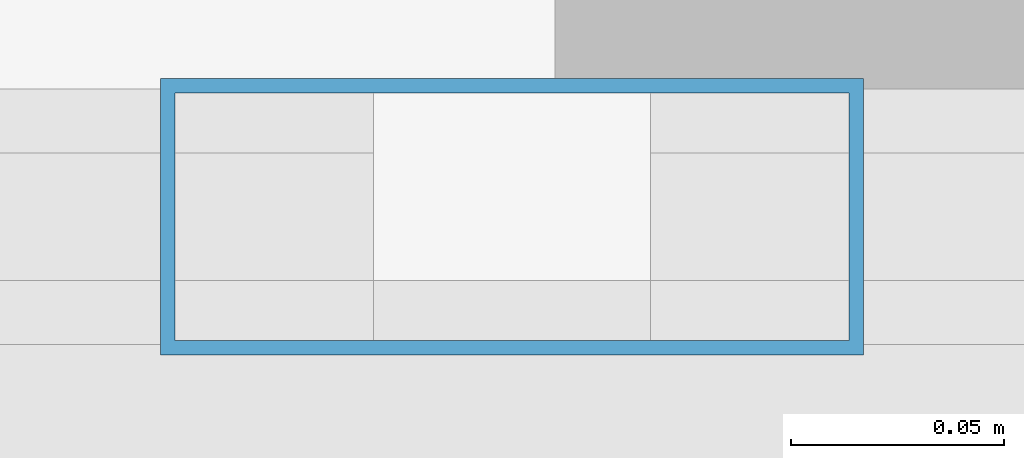
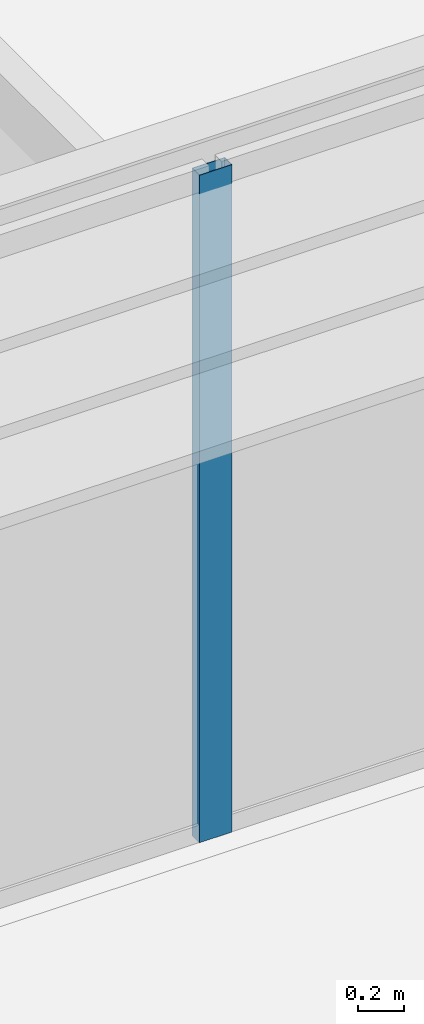
# One storey, part 10 of 33: 1 member, 1 element without a shape of its own.
"""IFC4 building model written with IfcOpenShell, lengths in metres."""

from ifc_helpers import new_model, si_unit, direction, frame, origin, origin_2d, place, context, subcontext, project, spatial, hollow_rectangle, extrude, source, transform, mapped, material, layer, layer_set, material_profile, profile_set, type_object, type_shapes, element, aggregate, save


model = new_model("IFC4")

# Units and contexts
model_context = context("Model", 3, precision=1e-05, world=origin(), true_north=direction((0.0, 1.0)))
body_context = subcontext(model_context, "Body", "Model", "MODEL_VIEW")
ifc_project = project(units=[si_unit("LENGTHUNIT", "METRE"), si_unit("AREAUNIT", "SQUARE_METRE"), si_unit("VOLUMEUNIT", "CUBIC_METRE"), si_unit("PLANEANGLEUNIT", "RADIAN"), si_unit("MASSUNIT", "GRAM", prefix="KILO")], contexts=[model_context])

# Site, building, storey
site_placement = place(None, origin())
site = spatial("IfcSite", under=ifc_project, at=site_placement, CompositionType="ELEMENT")
building_placement = place(site_placement, origin())
building = spatial("IfcBuilding", under=site, at=building_placement, Name="Varnel Quay Broadcast Tower", CompositionType="ELEMENT")
storey_placement = place(building_placement, frame((0.0, 0.0, 199.800048828125)))
storey = spatial("IfcBuildingStorey", under=building, at=storey_placement, Name="L49", CompositionType="ELEMENT", Elevation=199.800048828125)

# Curtain wall, member
ifc_material = material(Name="Anodised Bronze Aluminium 6063-T6", Category="aluminium")
ifc_layer = layer(ifc_material, 0.18994140625, Name="Anodised Bronze Aluminium 6063-T6")
ifc_layer_set = layer_set([ifc_layer], Name="Anodised Bronze Aluminium 6063-T6")
curtain_wall_type = type_object("IfcCurtainWallType", Name="CW_UpperTower", PredefinedType="NOTDEFINED", material=ifc_layer_set)
curtain_wall_placement = place(storey_placement, origin())
curtain_wall = element("IfcCurtainWall", 1, at=curtain_wall_placement, inside=storey, type_object=curtain_wall_type, Name="L49 South Unitised Curtain Wall 2", PredefinedType="NOTDEFINED")
ifc_material_profile = material_profile(ifc_material, hollow_rectangle(XDim=0.06494140625, YDim=0.1650390625, WallThickness=0.00341796875, at=origin_2d()), Name="ALU65X165X3.5")
ifc_profile_set = profile_set([ifc_material_profile], Name="Anodised Bronze Aluminium 6063-T6")
member_type = type_object("IfcMemberType", Name="Mull_CWS-03", PredefinedType="MULLION", material=ifc_profile_set)
shared_shape = source(origin(), body_context, "Body", "SweptSolid", [
    extrude(hollow_rectangle(XDim=0.06494140625, YDim=0.1650390625, WallThickness=0.00341796875, at=origin_2d()), origin(), (0.0, 0.0, 1.0), 3.550048828125),
])
type_shapes(member_type, [shared_shape])
member_placement = place(storey_placement, frame((40.68994140625, 10.35009765625, 0.0), z_axis=(0.0, 0.0, 1.0), x_axis=(0.0, 1.0, 0.0)))
member = element("IfcMember", 2, at=member_placement, type_object=member_type, Name="CWS-03 mullion 2", PredefinedType="MULLION", context=body_context, shape_type="MappedRepresentation", body=[
    mapped(shared_shape, transform((0.0, 0.0, 0.0), x_axis=(1.0, 0.0, 0.0), y_axis=(0.0, 1.0, 0.0), z_axis=(0.0, 0.0, 1.0), scale=1.0)),
])
aggregate(curtain_wall, [member])

save(model, "model.ifc")
